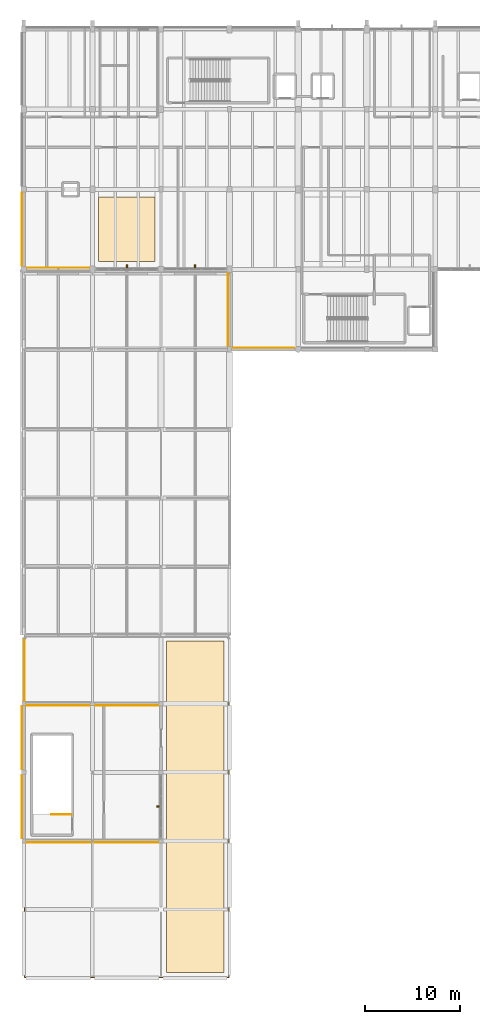
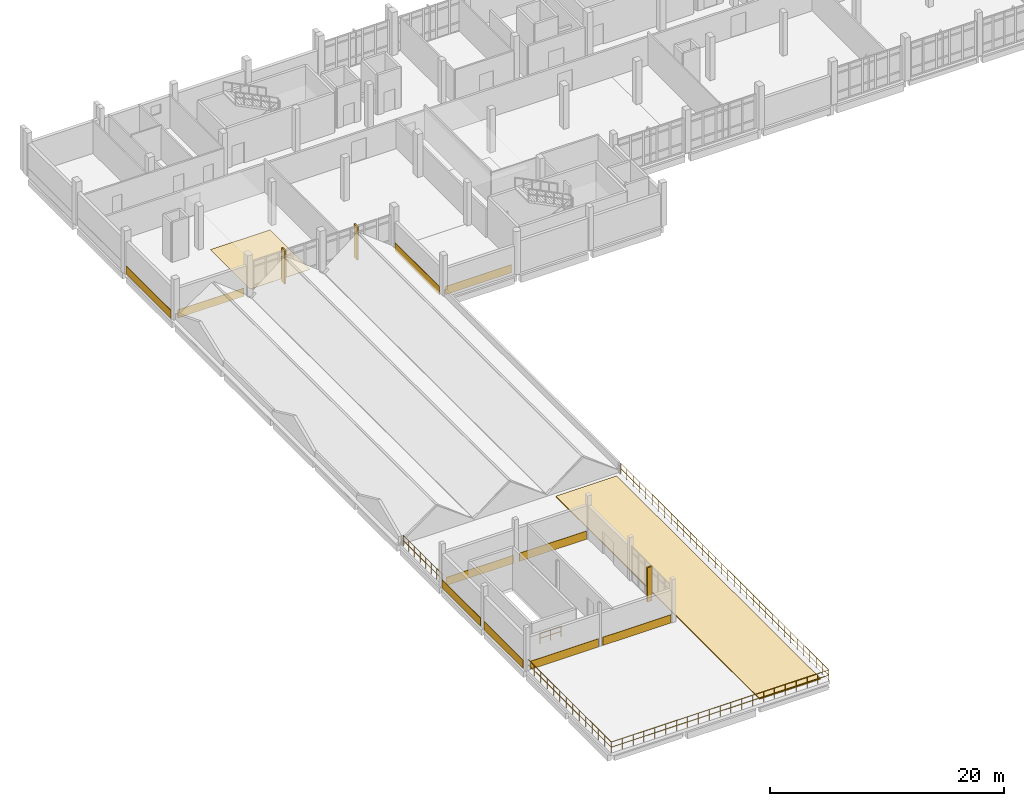
# One storey, part 37 of 41: 12 coverings, 3 railings, 3 shading devices.
"""IFC4 building model written with IfcOpenShell, lengths in metres."""

from ifc_helpers import new_model, si_unit, direction, frame, origin, origin_2d, place, context, subcontext, project, spatial, polyline, rectangle, circle, outline, extrude, material, layer, layer_set, type_object, element, save


model = new_model("IFC4")

# Units and contexts
model_context = context("Model", 3, precision=1e-05, world=origin(), true_north=direction((0.0, 1.0)))
body_context = subcontext(model_context, "Body", "Model", "MODEL_VIEW")
ifc_project = project(units=[si_unit("LENGTHUNIT", "METRE"), si_unit("AREAUNIT", "SQUARE_METRE"), si_unit("VOLUMEUNIT", "CUBIC_METRE"), si_unit("PLANEANGLEUNIT", "RADIAN"), si_unit("MASSUNIT", "GRAM", prefix="KILO")], contexts=[model_context])

# Site, building, storey
site_placement = place(None, origin())
site = spatial("IfcSite", under=ifc_project, at=site_placement, CompositionType="ELEMENT")
building_placement = place(site_placement, origin())
building = spatial("IfcBuilding", under=site, at=building_placement, Name="Kalluvel Institute of Natural Sciences", CompositionType="ELEMENT")
storey_placement = place(building_placement, frame((0.0, 0.0, 32.39990234375)))
storey = spatial("IfcBuildingStorey", under=building, at=storey_placement, Name="L07", CompositionType="ELEMENT", Elevation=32.39990234375)

# Coverings
ifc_material_1 = material(Name="Sadarahalli Grey Granite Ashlar Concrete M40", Category="masonry")
ifc_layer_1 = layer(ifc_material_1, 0.044921875)
ifc_layer_set_1 = layer_set([ifc_layer_1], Name="Sadarahalli Grey Granite Ashlar Concrete M40")
covering_type_1 = type_object("IfcCoveringType", Name="COV-CLAD-STONE", PredefinedType="CLADDING", material=ifc_layer_set_1)
covering_1_placement = place(storey_placement, frame((17.60009765625, 102.969970703125, 0.025146484375), z_axis=(0.0, 0.0, 1.0), x_axis=(1.0, 0.0, 0.0)))
element("IfcCovering", 1, at=covering_1_placement, inside=storey, type_object=covering_type_1, Name="L07 Sadarahalli granite plinth spandrel cladding 90", PredefinedType="CLADDING", context=body_context, shape_type="SweptSolid", body=[
    extrude(rectangle(XDim=6.489990234375, YDim=0.044921875, at=origin_2d()), origin(), (0.0, 0.0, 1.0), 0.85009765625),
])
covering_2_placement = place(storey_placement, frame((13.820068359375, 106.987548828125, 0.025146484375), z_axis=(0.0, 0.0, 1.0), x_axis=(0.0, 1.0, 0.0)))
element("IfcCovering", 2, at=covering_2_placement, inside=storey, type_object=covering_type_1, Name="L07 Sadarahalli granite plinth spandrel cladding 92", PredefinedType="CLADDING", context=body_context, shape_type="SweptSolid", body=[
    extrude(rectangle(XDim=7.6650390625, YDim=0.044921875, at=origin_2d()), origin(), (0.0, 0.0, 1.0), 0.85009765625),
])
covering_3_placement = place(storey_placement, frame((39.14990234375, 94.570068359375, 0.025146484375), z_axis=(0.0, 0.0, 1.0), x_axis=(1.0, 0.0, 0.0)))
element("IfcCovering", 3, at=covering_3_placement, inside=storey, type_object=covering_type_1, Name="L07 Sadarahalli granite plinth spandrel cladding 119", PredefinedType="CLADDING", context=body_context, shape_type="SweptSolid", body=[
    extrude(rectangle(XDim=6.489990234375, YDim=0.044921875, at=origin_2d()), origin(), (0.0, 0.0, 1.0), 0.85009765625),
])
covering_4_placement = place(storey_placement, frame((35.429931640625, 98.574951171875, 0.025146484375), z_axis=(0.0, 0.0, 1.0), x_axis=(0.0, 1.0, 0.0)))
element("IfcCovering", 4, at=covering_4_placement, inside=storey, type_object=covering_type_1, Name="L07 Sadarahalli granite plinth spandrel cladding 123", PredefinedType="CLADDING", context=body_context, shape_type="SweptSolid", body=[
    extrude(rectangle(XDim=7.590087890625, YDim=0.044921875, at=origin_2d()), origin(), (0.0, 0.0, 1.0), 0.85009765625),
])
for number, where, z_axis, x_axis, name in (
    (5, (13.820068359375, 46.387451171875, 0.025146484375), (0.0, 0.0, 1.0), (0.0, 1.0, 0.0), "L07 Sadarahalli granite plinth spandrel cladding 375"),
    (6, (13.820068359375, 53.612548828125, 0.025146484375), (0.0, 0.0, 1.0), (0.0, 1.0, 0.0), "L07 Sadarahalli granite plinth spandrel cladding 376"),
):
    element("IfcCovering", number, at=place(storey_placement, frame(where, z_axis=z_axis, x_axis=x_axis)), inside=storey, type_object=covering_type_1, Name=name, PredefinedType="CLADDING", context=body_context, shape_type="SweptSolid", body=[
        extrude(rectangle(XDim=6.614990234375, YDim=0.044921875, at=origin_2d()), origin(), (0.0, 0.0, 1.0), 0.85009765625),
    ])
covering_5_placement = place(storey_placement, frame((17.637451171875, 42.6298828125, 0.025146484375), z_axis=(0.0, 0.0, 1.0), x_axis=(1.0, 0.0, 0.0)))
element("IfcCovering", 7, at=covering_5_placement, inside=storey, type_object=covering_type_1, Name="L07 Sadarahalli granite plinth spandrel cladding 377", PredefinedType="CLADDING", context=body_context, shape_type="SweptSolid", body=[
    extrude(rectangle(XDim=6.715087890625, YDim=0.044921875, at=origin_2d()), origin(), (0.0, 0.0, 1.0), 0.85009765625),
])
covering_6_placement = place(storey_placement, frame((17.60009765625, 57.030029296875, 0.025146484375), z_axis=(0.0, 0.0, 1.0), x_axis=(1.0, 0.0, 0.0)))
element("IfcCovering", 8, at=covering_6_placement, inside=storey, type_object=covering_type_1, Name="L07 Sadarahalli granite plinth spandrel cladding 378", PredefinedType="CLADDING", context=body_context, shape_type="SweptSolid", body=[
    extrude(rectangle(XDim=6.639892578125, YDim=0.044921875, at=origin_2d()), origin(), (0.0, 0.0, 1.0), 0.85009765625),
])
covering_7_placement = place(storey_placement, frame((24.762451171875, 42.6298828125, 0.025146484375), z_axis=(0.0, 0.0, 1.0), x_axis=(1.0, 0.0, 0.0)))
element("IfcCovering", 9, at=covering_7_placement, inside=storey, type_object=covering_type_1, Name="L07 Sadarahalli granite plinth spandrel cladding 379", PredefinedType="CLADDING", context=body_context, shape_type="SweptSolid", body=[
    extrude(rectangle(XDim=6.715087890625, YDim=0.044921875, at=origin_2d()), origin(), (0.0, 0.0, 1.0), 0.85009765625),
])
covering_8_placement = place(storey_placement, frame((24.78759765625, 57.030029296875, 0.025146484375), z_axis=(0.0, 0.0, 1.0), x_axis=(1.0, 0.0, 0.0)))
element("IfcCovering", 10, at=covering_8_placement, inside=storey, type_object=covering_type_1, Name="L07 Sadarahalli granite plinth spandrel cladding 380", PredefinedType="CLADDING", context=body_context, shape_type="SweptSolid", body=[
    extrude(rectangle(XDim=6.614990234375, YDim=0.044921875, at=origin_2d()), origin(), (0.0, 0.0, 1.0), 0.85009765625),
])
ifc_material_2 = material(Name="Seamless Chemical-Resistant Epoxy Flooring", Category="resin")
ifc_layer_2 = layer(ifc_material_2, 0.014892578125)
ifc_layer_set_2 = layer_set([ifc_layer_2], Name="Seamless Chemical-Resistant Epoxy Flooring")
covering_type_2 = type_object("IfcCoveringType", Name="COV-FLR-EPOXY", PredefinedType="FLOORING", material=ifc_layer_set_2)
covering_9_placement = place(storey_placement, origin())
element("IfcCovering", 11, at=covering_9_placement, inside=storey, type_object=covering_type_2, Name="L07 seamless epoxy laboratory floor finish 15", PredefinedType="FLOORING", context=body_context, shape_type="SweptSolid", body=[
    extrude(outline(polyline([(21.85009765625, 103.60009765625), (27.75, 103.60009765625), (27.75, 110.39990234375), (21.85009765625, 110.39990234375), (21.85009765625, 103.60009765625)])), origin(), (0.0, 0.0, 1.0), 0.01513671875),
])
ifc_material_3 = material(Name="Planted Sedum and Native Flora Green-Roof Build-Up", Category="earth")
ifc_layer_3 = layer(ifc_material_3, 0.090087890625)
ifc_layer_set_3 = layer_set([ifc_layer_3], Name="Planted Sedum and Native Flora Green-Roof Build-Up")
covering_type_3 = type_object("IfcCoveringType", Name="COV-TER-PLANTED", PredefinedType="ROOFING", material=ifc_layer_set_3)
covering_10_placement = place(storey_placement, origin())
element("IfcCovering", 12, at=covering_10_placement, inside=storey, type_object=covering_type_3, Name="L07 botanical planted terrace green-roof strip RM-L07-DRY-PLANT", PredefinedType="ROOFING", context=body_context, shape_type="SweptSolid", body=[
    extrude(outline(polyline([(29.0, 29.0), (35.0, 29.0), (35.0, 63.800048828125), (29.0, 63.800048828125), (29.0, 29.0)])), origin(), (0.0, 0.0, 1.0), 0.090087890625),
])

# Railings
ifc_material_4 = material(Name="Steel E350 Grade 350", Category="steel")
railing_type_1 = type_object("IfcRailingType", Name="RL-BAL-EXT", PredefinedType="BALUSTRADE", material=ifc_material_4)
railing_1_placement = place(storey_placement, frame((14.080078125, 42.719970703125, 0.0)))
element("IfcRailing", 13, at=railing_1_placement, inside=storey, type_object=railing_type_1, Name="L07 Dry-Wing roof garden south balustrade", PredefinedType="BALUSTRADE", context=body_context, shape_type="SweptSolid", body=[
    extrude(circle(Radius=0.02392578125, at=origin_2d()), frame((0.0, 0.0, 1.09619140625), z_axis=(0.0, -1.0, 0.0), x_axis=(1.0, 0.0, 0.0)), (0.0, 0.0, 1.0), 14.239990234375),
    extrude(circle(Radius=0.02392578125, at=origin_2d()), frame((0.0, 0.0, 0.56005859375), z_axis=(0.0, -1.0, 0.0), x_axis=(1.0, 0.0, 0.0)), (0.0, 0.0, 1.0), 14.239990234375),
    extrude(circle(Radius=0.02392578125, at=origin_2d()), frame((0.0, -14.239990234375, 1.09619140625), z_axis=(1.0, 0.0, 0.0), x_axis=(0.0, 1.0, 0.0)), (0.0, 0.0, 1.0), 21.43994140625),
    extrude(circle(Radius=0.02392578125, at=origin_2d()), frame((0.0, -14.239990234375, 0.56005859375), z_axis=(1.0, 0.0, 0.0), x_axis=(0.0, 1.0, 0.0)), (0.0, 0.0, 1.0), 21.43994140625),
    extrude(circle(Radius=0.02392578125, at=origin_2d()), frame((21.43994140625, -14.239990234375, 1.09619140625), z_axis=(0.0, 1.0, 0.0), x_axis=(-1.0, 0.0, 0.0)), (0.0, 0.0, 1.0), 35.5400390625),
    extrude(circle(Radius=0.02392578125, at=origin_2d()), frame((21.43994140625, -14.239990234375, 0.56005859375), z_axis=(0.0, 1.0, 0.0), x_axis=(-1.0, 0.0, 0.0)), (0.0, 0.0, 1.0), 35.5400390625),
    extrude(circle(Radius=0.02099609375, at=origin_2d()), origin(), (0.0, 0.0, 1.0), 1.072021484375),
    extrude(circle(Radius=0.02099609375, at=origin_2d()), frame((0.0, -1.095458984375, 0.0)), (0.0, 0.0, 1.0), 1.072021484375),
    extrude(circle(Radius=0.02099609375, at=origin_2d()), frame((0.0, -2.190673828125, 0.0)), (0.0, 0.0, 1.0), 1.072021484375),
    extrude(circle(Radius=0.02099609375, at=origin_2d()), frame((0.0, -3.2861328125, 0.0)), (0.0, 0.0, 1.0), 1.072021484375),
    extrude(circle(Radius=0.02099609375, at=origin_2d()), frame((0.0, -4.381591796875, 0.0)), (0.0, 0.0, 1.0), 1.072021484375),
    extrude(circle(Radius=0.02099609375, at=origin_2d()), frame((0.0, -5.476806640625, 0.0)), (0.0, 0.0, 1.0), 1.072021484375),
    extrude(circle(Radius=0.02099609375, at=origin_2d()), frame((0.0, -6.572265625, 0.0)), (0.0, 0.0, 1.0), 1.072021484375),
    extrude(circle(Radius=0.02099609375, at=origin_2d()), frame((0.0, -7.667724609375, 0.0)), (0.0, 0.0, 1.0), 1.072021484375),
    extrude(circle(Radius=0.02099609375, at=origin_2d()), frame((0.0, -8.76318359375, 0.0)), (0.0, 0.0, 1.0), 1.072021484375),
    extrude(circle(Radius=0.02099609375, at=origin_2d()), frame((0.0, -9.8583984375, 0.0)), (0.0, 0.0, 1.0), 1.072021484375),
    extrude(circle(Radius=0.02099609375, at=origin_2d()), frame((0.0, -10.953857421875, 0.0)), (0.0, 0.0, 1.0), 1.072021484375),
    extrude(circle(Radius=0.02099609375, at=origin_2d()), frame((0.0, -12.04931640625, 0.0)), (0.0, 0.0, 1.0), 1.072021484375),
    extrude(circle(Radius=0.02099609375, at=origin_2d()), frame((0.0, -13.14453125, 0.0)), (0.0, 0.0, 1.0), 1.072021484375),
    extrude(circle(Radius=0.02099609375, at=origin_2d()), frame((0.0, -14.239990234375, 0.0)), (0.0, 0.0, 1.0), 1.072021484375),
    extrude(circle(Radius=0.02099609375, at=origin_2d()), frame((1.072021484375, -14.239990234375, 0.0)), (0.0, 0.0, 1.0), 1.072021484375),
    extrude(circle(Radius=0.02099609375, at=origin_2d()), frame((2.14404296875, -14.239990234375, 0.0)), (0.0, 0.0, 1.0), 1.072021484375),
    extrude(circle(Radius=0.02099609375, at=origin_2d()), frame((3.216064453125, -14.239990234375, 0.0)), (0.0, 0.0, 1.0), 1.072021484375),
    extrude(circle(Radius=0.02099609375, at=origin_2d()), frame((4.2880859375, -14.239990234375, 0.0)), (0.0, 0.0, 1.0), 1.072021484375),
    extrude(circle(Radius=0.02099609375, at=origin_2d()), frame((5.35986328125, -14.239990234375, 0.0)), (0.0, 0.0, 1.0), 1.072021484375),
    extrude(circle(Radius=0.02099609375, at=origin_2d()), frame((6.431884765625, -14.239990234375, 0.0)), (0.0, 0.0, 1.0), 1.072021484375),
    extrude(circle(Radius=0.02099609375, at=origin_2d()), frame((7.50390625, -14.239990234375, 0.0)), (0.0, 0.0, 1.0), 1.072021484375),
    extrude(circle(Radius=0.02099609375, at=origin_2d()), frame((8.575927734375, -14.239990234375, 0.0)), (0.0, 0.0, 1.0), 1.072021484375),
    extrude(circle(Radius=0.02099609375, at=origin_2d()), frame((9.64794921875, -14.239990234375, 0.0)), (0.0, 0.0, 1.0), 1.072021484375),
    extrude(circle(Radius=0.02099609375, at=origin_2d()), frame((10.719970703125, -14.239990234375, 0.0)), (0.0, 0.0, 1.0), 1.072021484375),
    extrude(circle(Radius=0.02099609375, at=origin_2d()), frame((11.7919921875, -14.239990234375, 0.0)), (0.0, 0.0, 1.0), 1.072021484375),
    extrude(circle(Radius=0.02099609375, at=origin_2d()), frame((12.864013671875, -14.239990234375, 0.0)), (0.0, 0.0, 1.0), 1.072021484375),
    extrude(circle(Radius=0.02099609375, at=origin_2d()), frame((13.93603515625, -14.239990234375, 0.0)), (0.0, 0.0, 1.0), 1.072021484375),
    extrude(circle(Radius=0.02099609375, at=origin_2d()), frame((15.008056640625, -14.239990234375, 0.0)), (0.0, 0.0, 1.0), 1.072021484375),
    extrude(circle(Radius=0.02099609375, at=origin_2d()), frame((16.080078125, -14.239990234375, 0.0)), (0.0, 0.0, 1.0), 1.072021484375),
    extrude(circle(Radius=0.02099609375, at=origin_2d()), frame((17.15185546875, -14.239990234375, 0.0)), (0.0, 0.0, 1.0), 1.072021484375),
    extrude(circle(Radius=0.02099609375, at=origin_2d()), frame((18.223876953125, -14.239990234375, 0.0)), (0.0, 0.0, 1.0), 1.072021484375),
    extrude(circle(Radius=0.02099609375, at=origin_2d()), frame((19.2958984375, -14.239990234375, 0.0)), (0.0, 0.0, 1.0), 1.072021484375),
    extrude(circle(Radius=0.02099609375, at=origin_2d()), frame((20.367919921875, -14.239990234375, 0.0)), (0.0, 0.0, 1.0), 1.072021484375),
    extrude(circle(Radius=0.02099609375, at=origin_2d()), frame((21.43994140625, -14.239990234375, 0.0)), (0.0, 0.0, 1.0), 1.072021484375),
    extrude(circle(Radius=0.02099609375, at=origin_2d()), frame((21.43994140625, -13.1630859375, 0.0)), (0.0, 0.0, 1.0), 1.072021484375),
    extrude(circle(Radius=0.02099609375, at=origin_2d()), frame((21.43994140625, -12.0859375, 0.0)), (0.0, 0.0, 1.0), 1.072021484375),
    extrude(circle(Radius=0.02099609375, at=origin_2d()), frame((21.43994140625, -11.009033203125, 0.0)), (0.0, 0.0, 1.0), 1.072021484375),
    extrude(circle(Radius=0.02099609375, at=origin_2d()), frame((21.43994140625, -9.93212890625, 0.0)), (0.0, 0.0, 1.0), 1.072021484375),
    extrude(circle(Radius=0.02099609375, at=origin_2d()), frame((21.43994140625, -8.855224609375, 0.0)), (0.0, 0.0, 1.0), 1.072021484375),
    extrude(circle(Radius=0.02099609375, at=origin_2d()), frame((21.43994140625, -7.778076171875, 0.0)), (0.0, 0.0, 1.0), 1.072021484375),
    extrude(circle(Radius=0.02099609375, at=origin_2d()), frame((21.43994140625, -6.701171875, 0.0)), (0.0, 0.0, 1.0), 1.072021484375),
    extrude(circle(Radius=0.02099609375, at=origin_2d()), frame((21.43994140625, -5.624267578125, 0.0)), (0.0, 0.0, 1.0), 1.072021484375),
    extrude(circle(Radius=0.02099609375, at=origin_2d()), frame((21.43994140625, -4.54736328125, 0.0)), (0.0, 0.0, 1.0), 1.072021484375),
    extrude(circle(Radius=0.02099609375, at=origin_2d()), frame((21.43994140625, -3.47021484375, 0.0)), (0.0, 0.0, 1.0), 1.072021484375),
    extrude(circle(Radius=0.02099609375, at=origin_2d()), frame((21.43994140625, -2.393310546875, 0.0)), (0.0, 0.0, 1.0), 1.072021484375),
    extrude(circle(Radius=0.02099609375, at=origin_2d()), frame((21.43994140625, -1.31640625, 0.0)), (0.0, 0.0, 1.0), 1.072021484375),
    extrude(circle(Radius=0.02099609375, at=origin_2d()), frame((21.43994140625, -0.2392578125, 0.0)), (0.0, 0.0, 1.0), 1.072021484375),
    extrude(circle(Radius=0.02099609375, at=origin_2d()), frame((21.43994140625, 0.837646484375, 0.0)), (0.0, 0.0, 1.0), 1.072021484375),
    extrude(circle(Radius=0.02099609375, at=origin_2d()), frame((21.43994140625, 1.91455078125, 0.0)), (0.0, 0.0, 1.0), 1.072021484375),
    extrude(circle(Radius=0.02099609375, at=origin_2d()), frame((21.43994140625, 2.991455078125, 0.0)), (0.0, 0.0, 1.0), 1.072021484375),
    extrude(circle(Radius=0.02099609375, at=origin_2d()), frame((21.43994140625, 4.068603515625, 0.0)), (0.0, 0.0, 1.0), 1.072021484375),
    extrude(circle(Radius=0.02099609375, at=origin_2d()), frame((21.43994140625, 5.1455078125, 0.0)), (0.0, 0.0, 1.0), 1.072021484375),
    extrude(circle(Radius=0.02099609375, at=origin_2d()), frame((21.43994140625, 6.222412109375, 0.0)), (0.0, 0.0, 1.0), 1.072021484375),
    extrude(circle(Radius=0.02099609375, at=origin_2d()), frame((21.43994140625, 7.29931640625, 0.0)), (0.0, 0.0, 1.0), 1.072021484375),
    extrude(circle(Radius=0.02099609375, at=origin_2d()), frame((21.43994140625, 8.37646484375, 0.0)), (0.0, 0.0, 1.0), 1.072021484375),
    extrude(circle(Radius=0.02099609375, at=origin_2d()), frame((21.43994140625, 9.453369140625, 0.0)), (0.0, 0.0, 1.0), 1.072021484375),
    extrude(circle(Radius=0.02099609375, at=origin_2d()), frame((21.43994140625, 10.5302734375, 0.0)), (0.0, 0.0, 1.0), 1.072021484375),
    extrude(circle(Radius=0.02099609375, at=origin_2d()), frame((21.43994140625, 11.607421875, 0.0)), (0.0, 0.0, 1.0), 1.072021484375),
    extrude(circle(Radius=0.02099609375, at=origin_2d()), frame((21.43994140625, 12.684326171875, 0.0)), (0.0, 0.0, 1.0), 1.072021484375),
    extrude(circle(Radius=0.02099609375, at=origin_2d()), frame((21.43994140625, 13.76123046875, 0.0)), (0.0, 0.0, 1.0), 1.072021484375),
    extrude(circle(Radius=0.02099609375, at=origin_2d()), frame((21.43994140625, 14.838134765625, 0.0)), (0.0, 0.0, 1.0), 1.072021484375),
    extrude(circle(Radius=0.02099609375, at=origin_2d()), frame((21.43994140625, 15.915283203125, 0.0)), (0.0, 0.0, 1.0), 1.072021484375),
    extrude(circle(Radius=0.02099609375, at=origin_2d()), frame((21.43994140625, 16.9921875, 0.0)), (0.0, 0.0, 1.0), 1.072021484375),
    extrude(circle(Radius=0.02099609375, at=origin_2d()), frame((21.43994140625, 18.069091796875, 0.0)), (0.0, 0.0, 1.0), 1.072021484375),
    extrude(circle(Radius=0.02099609375, at=origin_2d()), frame((21.43994140625, 19.14599609375, 0.0)), (0.0, 0.0, 1.0), 1.072021484375),
    extrude(circle(Radius=0.02099609375, at=origin_2d()), frame((21.43994140625, 20.22314453125, 0.0)), (0.0, 0.0, 1.0), 1.072021484375),
    extrude(circle(Radius=0.02099609375, at=origin_2d()), frame((21.43994140625, 21.300048828125, 0.0)), (0.0, 0.0, 1.0), 1.072021484375),
])
railing_2_placement = place(storey_placement, frame((14.080078125, 57.280029296875, 0.0)))
element("IfcRailing", 14, at=railing_2_placement, inside=storey, type_object=railing_type_1, Name="L07 Dry-Wing roof garden north-west balustrade", PredefinedType="BALUSTRADE", context=body_context, shape_type="SweptSolid", body=[
    extrude(circle(Radius=0.02392578125, at=origin_2d()), frame((0.0, 0.0, 1.09619140625), z_axis=(0.0, 1.0, 0.0), x_axis=(-1.0, 0.0, 0.0)), (0.0, 0.0, 1.0), 6.739990234375),
    extrude(circle(Radius=0.02392578125, at=origin_2d()), frame((0.0, 0.0, 0.56005859375), z_axis=(0.0, 1.0, 0.0), x_axis=(-1.0, 0.0, 0.0)), (0.0, 0.0, 1.0), 6.739990234375),
    extrude(circle(Radius=0.02099609375, at=origin_2d()), origin(), (0.0, 0.0, 1.0), 1.072021484375),
    extrude(circle(Radius=0.02099609375, at=origin_2d()), frame((0.0, 0.962890625, 0.0)), (0.0, 0.0, 1.0), 1.072021484375),
    extrude(circle(Radius=0.02099609375, at=origin_2d()), frame((0.0, 1.92578125, 0.0)), (0.0, 0.0, 1.0), 1.072021484375),
    extrude(circle(Radius=0.02099609375, at=origin_2d()), frame((0.0, 2.888671875, 0.0)), (0.0, 0.0, 1.0), 1.072021484375),
    extrude(circle(Radius=0.02099609375, at=origin_2d()), frame((0.0, 3.851318359375, 0.0)), (0.0, 0.0, 1.0), 1.072021484375),
    extrude(circle(Radius=0.02099609375, at=origin_2d()), frame((0.0, 4.814208984375, 0.0)), (0.0, 0.0, 1.0), 1.072021484375),
    extrude(circle(Radius=0.02099609375, at=origin_2d()), frame((0.0, 5.777099609375, 0.0)), (0.0, 0.0, 1.0), 1.072021484375),
    extrude(circle(Radius=0.02099609375, at=origin_2d()), frame((0.0, 6.739990234375, 0.0)), (0.0, 0.0, 1.0), 1.072021484375),
])
ifc_material_5 = material(Name="Galvanized Fire-Rated Steel", Category="steel")
railing_type_2 = type_object("IfcRailingType", Name="RL-GD-STAIR", PredefinedType="BALUSTRADE", material=ifc_material_5)
railing_3_placement = place(storey_placement, frame((19.0, 45.550048828125, 0.0)))
element("IfcRailing", 15, at=railing_3_placement, inside=storey, type_object=railing_type_2, Name="L07 ST4 top well guard 1", PredefinedType="BALUSTRADE", context=body_context, shape_type="SweptSolid", body=[
    extrude(circle(Radius=0.02392578125, at=origin_2d()), frame((0.0, 0.0, 1.09619140625), z_axis=(-1.0, 0.0, 0.0), x_axis=(0.0, -1.0, 0.0)), (0.0, 0.0, 1.0), 2.110107421875),
    extrude(circle(Radius=0.02392578125, at=origin_2d()), frame((0.0, 0.0, 0.56005859375), z_axis=(-1.0, 0.0, 0.0), x_axis=(0.0, -1.0, 0.0)), (0.0, 0.0, 1.0), 2.110107421875),
    extrude(circle(Radius=0.02099609375, at=origin_2d()), origin(), (0.0, 0.0, 1.0), 1.072021484375),
    extrude(circle(Radius=0.02099609375, at=origin_2d()), frame((-1.05517578125, 0.0, 0.0)), (0.0, 0.0, 1.0), 1.072021484375),
    extrude(circle(Radius=0.02099609375, at=origin_2d()), frame((-2.110107421875, 0.0, 0.0)), (0.0, 0.0, 1.0), 1.072021484375),
])

# Shading devices
shading_device_type = type_object("IfcShadingDeviceType", Name="SHD-FIN-STONE", PredefinedType="USERDEFINED", material=ifc_material_1)
for number, where, z_axis, x_axis, name in (
    (16, (24.83740234375, 103.02001953125, 0.0), (0.0, 0.0, 1.0), (1.0, 0.0, 0.0), "L07 monsoon lancet shading fin 95"),
    (17, (31.97509765625, 103.02001953125, 0.0), (0.0, 0.0, 1.0), (1.0, 0.0, 0.0), "L07 monsoon lancet shading fin 96"),
):
    element("IfcShadingDevice", number, at=place(storey_placement, frame(where, z_axis=z_axis, x_axis=x_axis)), inside=storey, type_object=shading_device_type, Name=name, ObjectType="MONSOON FIN", PredefinedType="USERDEFINED", context=body_context, shape_type="SweptSolid", body=[
        extrude(rectangle(XDim=0.139892578125, YDim=0.47998046875, at=origin_2d()), origin(), (0.0, 0.0, 1.0), 3.530029296875),
    ])
shading_device_placement = place(storey_placement, frame((28.179931640625, 46.39990234375, 0.0), z_axis=(0.0, 0.0, 1.0), x_axis=(0.0, 1.0, 0.0)))
element("IfcShadingDevice", 18, at=shading_device_placement, inside=storey, type_object=shading_device_type, Name="L07 monsoon lancet shading fin 269", ObjectType="MONSOON FIN", PredefinedType="USERDEFINED", context=body_context, shape_type="SweptSolid", body=[
    extrude(rectangle(XDim=0.139892578125, YDim=0.47998046875, at=origin_2d()), origin(), (0.0, 0.0, 1.0), 3.570068359375),
])

save(model, "model.ifc")
